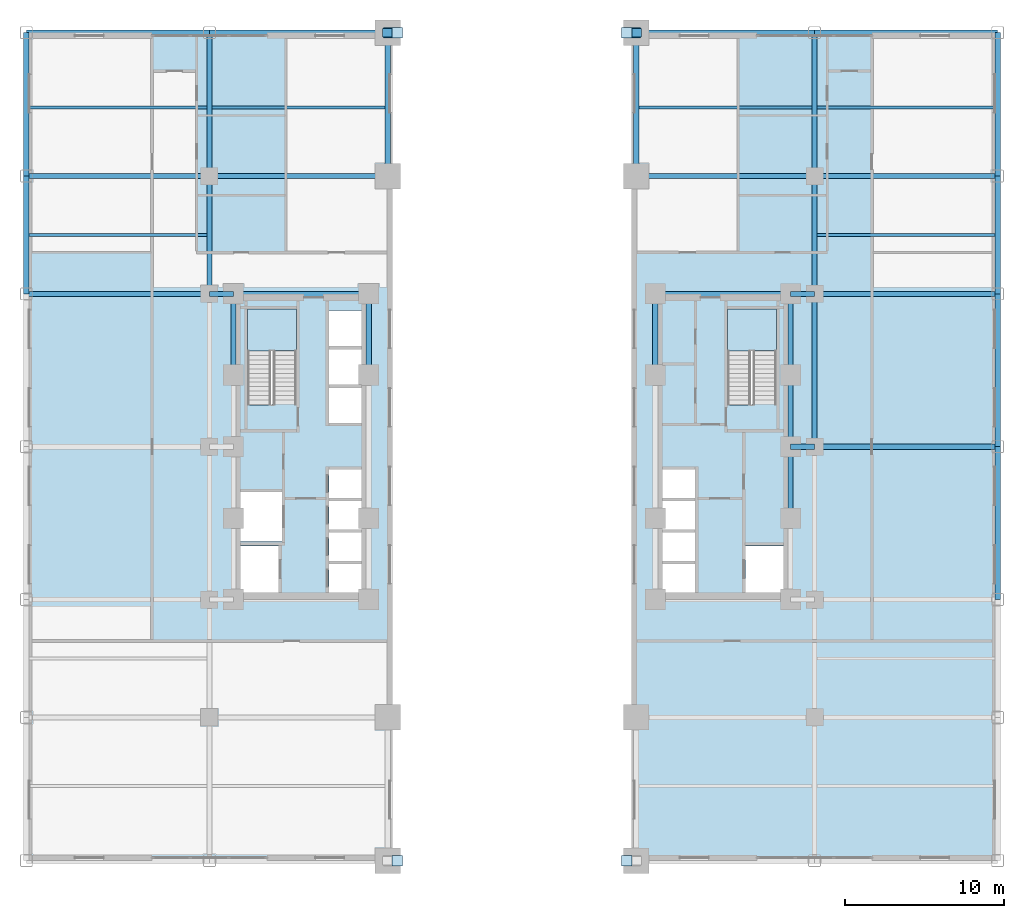
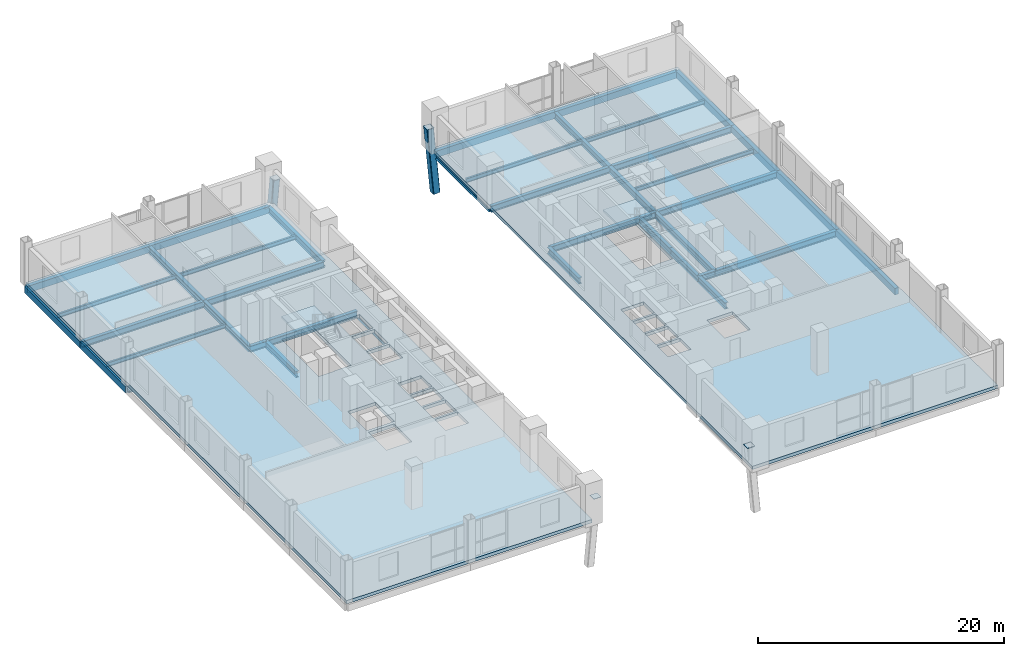
# One storey, part 2 of 15: 43 beams, 4 plates, 4 slabs, 2 elements without a shape of their own.
"""IFC4 building model written with IfcOpenShell, lengths in metres."""

from ifc_helpers import new_model, si_unit, direction, frame, origin, origin_2d, place, context, subcontext, project, spatial, polyline, rectangle, hollow_rectangle, i_section, outline, extrude, source, transform, mapped, material, layer, layer_set, material_profile, profile_set, type_object, type_shapes, element, aggregate, save


model = new_model("IFC4")

# Units and contexts
model_context = context("Model", 3, precision=1e-05, world=origin(), true_north=direction((0.0, 1.0)))
body_context = subcontext(model_context, "Body", "Model", "MODEL_VIEW")
ifc_project = project(units=[si_unit("LENGTHUNIT", "METRE"), si_unit("AREAUNIT", "SQUARE_METRE"), si_unit("VOLUMEUNIT", "CUBIC_METRE"), si_unit("PLANEANGLEUNIT", "RADIAN"), si_unit("MASSUNIT", "GRAM", prefix="KILO")], contexts=[model_context])

# Site, building, storey
site_placement = place(None, origin())
site = spatial("IfcSite", under=ifc_project, at=site_placement, CompositionType="ELEMENT")
building_placement = place(site_placement, origin())
building = spatial("IfcBuilding", under=site, at=building_placement, Name="Nuvemarco Arch Tower", CompositionType="ELEMENT")
storey_placement = place(building_placement, frame((0.0, 0.0, 4.60009765625)))
storey = spatial("IfcBuildingStorey", under=building, at=storey_placement, Name="L01", CompositionType="ELEMENT", Elevation=4.60009765625)

# Beams
ifc_material_1 = material(Name="Steel S355", Category="steel")
ifc_material_profile_1 = material_profile(ifc_material_1, hollow_rectangle(XDim=0.64990234375, YDim=0.64990234375, WallThickness=0.0400390625, InnerFilletRadius=0.0400390625, OuterFilletRadius=0.080078125, at=origin_2d()), Name="SHS650x650x40")
ifc_profile_set_1 = profile_set([ifc_material_profile_1], Name="Steel S355")
beam_type_1 = type_object("IfcBeamType", Name="BM-ARCH-RIB", PredefinedType="BEAM", material=ifc_profile_set_1)
for number, where, z_axis, x_axis, name in (
    (1, (-7.800048828125, 26.0, -4.400146484375), (0.090549032051, 0.0, 0.995891998559), (0.0, 1.0, 0.0), "Monumental portal arch rib segment N-1"),
    (2, (7.199951171875, 26.0, 2.199951171875), (0.090549032051, 0.0, -0.995891998559), (0.0, 1.0, 0.0), "Monumental portal arch rib segment N-6"),
):
    element("IfcBeam", number, at=place(storey_placement, frame(where, z_axis=z_axis, x_axis=x_axis)), inside=storey, type_object=beam_type_1, Name=name, PredefinedType="BEAM", context=body_context, shape_type="SweptSolid", body=[
        extrude(hollow_rectangle(XDim=0.64990234375, YDim=0.64990234375, WallThickness=0.0400390625, InnerFilletRadius=0.0400390625, OuterFilletRadius=0.080078125, at=origin_2d()), origin(), (0.0, 0.0, 1.0), 6.62744140625),
    ])
ifc_material_profile_2 = material_profile(ifc_material_1, i_section(OverallWidth=0.324951171875, OverallDepth=0.615966796875, WebThickness=0.013916015625, FlangeThickness=0.021484375, FilletRadius=0.01611328125, at=origin_2d()), Name="W610x174")
ifc_profile_set_2 = profile_set([ifc_material_profile_2], Name="Steel S355")
beam_type_2 = type_object("IfcBeamType", Name="BM-GIRD-610H", PredefinedType="BEAM", material=ifc_profile_set_2)
beam_1_placement = place(storey_placement, frame((-19.0, 9.60009765625, -0.628173828125), z_axis=(0.0, 1.0, 0.0), x_axis=(-1.0, 0.0, 0.0)))
element("IfcBeam", 3, at=beam_1_placement, inside=storey, type_object=beam_type_2, Name="L01 structural beam BGNS_L01_0_-19.0_+9.6", PredefinedType="BEAM", context=body_context, shape_type="SweptSolid", body=[
    extrude(i_section(OverallWidth=0.324951171875, OverallDepth=0.615966796875, WebThickness=0.013916015625, FlangeThickness=0.021484375, FilletRadius=0.01611328125, at=origin_2d()), origin(), (0.0, 0.0, 1.0), 7.39990234375),
])
beam_2_placement = place(storey_placement, frame((-19.0, 17.0, -0.628173828125), z_axis=(0.0, 1.0, 0.0), x_axis=(-1.0, 0.0, 0.0)))
element("IfcBeam", 4, at=beam_2_placement, inside=storey, type_object=beam_type_2, Name="L01 structural beam BGNS_L01_0_-19.0_+17.0", PredefinedType="BEAM", context=body_context, shape_type="SweptSolid", body=[
    extrude(i_section(OverallWidth=0.324951171875, OverallDepth=0.615966796875, WebThickness=0.013916015625, FlangeThickness=0.021484375, FilletRadius=0.01611328125, at=origin_2d()), origin(), (0.0, 0.0, 1.0), 9.0),
])
for number, where, z_axis, x_axis, name in (
    (5, (-17.5, 4.5, -0.628173828125), (0.0, 1.0, 0.0), (-1.0, 0.0, 0.0), "L01 structural beam BGNS_L01_0_-17.5_+4.5"),
    (6, (-9.0, 4.5, -0.628173828125), (0.0, 1.0, 0.0), (-1.0, 0.0, 0.0), "L01 structural beam BGNS_L01_0_-9.0_+4.5"),
):
    element("IfcBeam", number, at=place(storey_placement, frame(where, z_axis=z_axis, x_axis=x_axis)), inside=storey, type_object=beam_type_2, Name=name, PredefinedType="BEAM", context=body_context, shape_type="SweptSolid", body=[
        extrude(i_section(OverallWidth=0.324951171875, OverallDepth=0.615966796875, WebThickness=0.013916015625, FlangeThickness=0.021484375, FilletRadius=0.01611328125, at=origin_2d()), origin(), (0.0, 0.0, 1.0), 5.10009765625),
    ])
beam_3_placement = place(storey_placement, frame((-7.800048828125, 17.0, -0.628173828125), z_axis=(0.0, 1.0, 0.0), x_axis=(-1.0, 0.0, 0.0)))
element("IfcBeam", 7, at=beam_3_placement, inside=storey, type_object=beam_type_2, Name="L01 structural beam BGNS_L01_0_-7.8_+17.0", PredefinedType="BEAM", context=body_context, shape_type="SweptSolid", body=[
    extrude(i_section(OverallWidth=0.324951171875, OverallDepth=0.615966796875, WebThickness=0.013916015625, FlangeThickness=0.021484375, FilletRadius=0.01611328125, at=origin_2d()), origin(), (0.0, 0.0, 1.0), 9.0),
])
beam_4_placement = place(storey_placement, frame((-30.5, 9.60009765625, -0.628173828125), z_axis=(1.0, 0.0, 0.0), x_axis=(0.0, 1.0, 0.0)))
element("IfcBeam", 8, at=beam_4_placement, inside=storey, type_object=beam_type_2, Name="L01 structural beam BGEW_L01_0_+9.6_-30.5", PredefinedType="BEAM", context=body_context, shape_type="SweptSolid", body=[
    extrude(i_section(OverallWidth=0.324951171875, OverallDepth=0.615966796875, WebThickness=0.013916015625, FlangeThickness=0.021484375, FilletRadius=0.01611328125, at=origin_2d()), origin(), (0.0, 0.0, 1.0), 11.5),
])
beam_5_placement = place(storey_placement, frame((-19.0, 9.60009765625, -0.628173828125), z_axis=(1.0, 0.0, 0.0), x_axis=(0.0, 1.0, 0.0)))
element("IfcBeam", 9, at=beam_5_placement, inside=storey, type_object=beam_type_2, Name="L01 structural beam BGEW_L01_0_+9.6_-19.0", PredefinedType="BEAM", context=body_context, shape_type="SweptSolid", body=[
    extrude(i_section(OverallWidth=0.324951171875, OverallDepth=0.615966796875, WebThickness=0.013916015625, FlangeThickness=0.021484375, FilletRadius=0.01611328125, at=origin_2d()), origin(), (0.0, 0.0, 1.0), 1.5),
])
beam_6_placement = place(storey_placement, frame((-17.5, 9.60009765625, -0.628173828125), z_axis=(1.0, 0.0, 0.0), x_axis=(0.0, 1.0, 0.0)))
element("IfcBeam", 10, at=beam_6_placement, inside=storey, type_object=beam_type_2, Name="L01 structural beam BGEW_L01_0_+9.6_-17.5", PredefinedType="BEAM", context=body_context, shape_type="SweptSolid", body=[
    extrude(i_section(OverallWidth=0.324951171875, OverallDepth=0.615966796875, WebThickness=0.013916015625, FlangeThickness=0.021484375, FilletRadius=0.01611328125, at=origin_2d()), origin(), (0.0, 0.0, 1.0), 8.5),
])
beam_7_placement = place(storey_placement, frame((-30.5, 17.0, -0.628173828125), z_axis=(1.0, 0.0, 0.0), x_axis=(0.0, 1.0, 0.0)))
element("IfcBeam", 11, at=beam_7_placement, inside=storey, type_object=beam_type_2, Name="L01 structural beam BGEW_L01_0_+17.0_-30.5", PredefinedType="BEAM", context=body_context, shape_type="SweptSolid", body=[
    extrude(i_section(OverallWidth=0.324951171875, OverallDepth=0.615966796875, WebThickness=0.013916015625, FlangeThickness=0.021484375, FilletRadius=0.01611328125, at=origin_2d()), origin(), (0.0, 0.0, 1.0), 11.5),
])
beam_8_placement = place(storey_placement, frame((-19.0, 17.0, -0.628173828125), z_axis=(1.0, 0.0, 0.0), x_axis=(0.0, 1.0, 0.0)))
element("IfcBeam", 12, at=beam_8_placement, inside=storey, type_object=beam_type_2, Name="L01 structural beam BGEW_L01_0_+17.0_-19.0", PredefinedType="BEAM", context=body_context, shape_type="SweptSolid", body=[
    extrude(i_section(OverallWidth=0.324951171875, OverallDepth=0.615966796875, WebThickness=0.013916015625, FlangeThickness=0.021484375, FilletRadius=0.01611328125, at=origin_2d()), origin(), (0.0, 0.0, 1.0), 11.199951171875),
])
beam_9_placement = place(storey_placement, frame((7.800048828125, 17.0, -0.628173828125), z_axis=(0.0, 1.0, 0.0), x_axis=(-1.0, 0.0, 0.0)))
element("IfcBeam", 13, at=beam_9_placement, inside=storey, type_object=beam_type_2, Name="L01 structural beam BGNS_L01_1_+7.8_+17.0", PredefinedType="BEAM", context=body_context, shape_type="SweptSolid", body=[
    extrude(i_section(OverallWidth=0.324951171875, OverallDepth=0.615966796875, WebThickness=0.013916015625, FlangeThickness=0.021484375, FilletRadius=0.01611328125, at=origin_2d()), origin(), (0.0, 0.0, 1.0), 9.0),
])
beam_10_placement = place(storey_placement, frame((9.0, 4.5, -0.628173828125), z_axis=(0.0, 1.0, 0.0), x_axis=(-1.0, 0.0, 0.0)))
element("IfcBeam", 14, at=beam_10_placement, inside=storey, type_object=beam_type_2, Name="L01 structural beam BGNS_L01_1_+9.0_+4.5", PredefinedType="BEAM", context=body_context, shape_type="SweptSolid", body=[
    extrude(i_section(OverallWidth=0.324951171875, OverallDepth=0.615966796875, WebThickness=0.013916015625, FlangeThickness=0.021484375, FilletRadius=0.01611328125, at=origin_2d()), origin(), (0.0, 0.0, 1.0), 5.10009765625),
])
for number, where, z_axis, x_axis, name in (
    (15, (17.5, -4.5, -0.628173828125), (0.0, 1.0, 0.0), (-1.0, 0.0, 0.0), "L01 structural beam BGNS_L01_1_+17.5_-4.5"),
    (16, (17.5, 0.0, -0.628173828125), (0.0, 1.0, 0.0), (-1.0, 0.0, 0.0), "L01 structural beam BGNS_L01_1_+17.5_+0.0"),
):
    element("IfcBeam", number, at=place(storey_placement, frame(where, z_axis=z_axis, x_axis=x_axis)), inside=storey, type_object=beam_type_2, Name=name, PredefinedType="BEAM", context=body_context, shape_type="SweptSolid", body=[
        extrude(i_section(OverallWidth=0.324951171875, OverallDepth=0.615966796875, WebThickness=0.013916015625, FlangeThickness=0.021484375, FilletRadius=0.01611328125, at=origin_2d()), origin(), (0.0, 0.0, 1.0), 4.5),
    ])
beam_11_placement = place(storey_placement, frame((17.5, 4.5, -0.628173828125), z_axis=(0.0, 1.0, 0.0), x_axis=(-1.0, 0.0, 0.0)))
element("IfcBeam", 17, at=beam_11_placement, inside=storey, type_object=beam_type_2, Name="L01 structural beam BGNS_L01_1_+17.5_+4.5", PredefinedType="BEAM", context=body_context, shape_type="SweptSolid", body=[
    extrude(i_section(OverallWidth=0.324951171875, OverallDepth=0.615966796875, WebThickness=0.013916015625, FlangeThickness=0.021484375, FilletRadius=0.01611328125, at=origin_2d()), origin(), (0.0, 0.0, 1.0), 5.10009765625),
])
beam_12_placement = place(storey_placement, frame((19.0, 0.0, -0.628173828125), z_axis=(0.0, 1.0, 0.0), x_axis=(-1.0, 0.0, 0.0)))
element("IfcBeam", 18, at=beam_12_placement, inside=storey, type_object=beam_type_2, Name="L01 structural beam BGNS_L01_1_+19.0_+0.0", PredefinedType="BEAM", context=body_context, shape_type="SweptSolid", body=[
    extrude(i_section(OverallWidth=0.324951171875, OverallDepth=0.615966796875, WebThickness=0.013916015625, FlangeThickness=0.021484375, FilletRadius=0.01611328125, at=origin_2d()), origin(), (0.0, 0.0, 1.0), 9.60009765625),
])
beam_13_placement = place(storey_placement, frame((19.0, 9.60009765625, -0.628173828125), z_axis=(0.0, 1.0, 0.0), x_axis=(-1.0, 0.0, 0.0)))
element("IfcBeam", 19, at=beam_13_placement, inside=storey, type_object=beam_type_2, Name="L01 structural beam BGNS_L01_1_+19.0_+9.6", PredefinedType="BEAM", context=body_context, shape_type="SweptSolid", body=[
    extrude(i_section(OverallWidth=0.324951171875, OverallDepth=0.615966796875, WebThickness=0.013916015625, FlangeThickness=0.021484375, FilletRadius=0.01611328125, at=origin_2d()), origin(), (0.0, 0.0, 1.0), 7.39990234375),
])
beam_14_placement = place(storey_placement, frame((19.0, 17.0, -0.628173828125), z_axis=(0.0, 1.0, 0.0), x_axis=(-1.0, 0.0, 0.0)))
element("IfcBeam", 20, at=beam_14_placement, inside=storey, type_object=beam_type_2, Name="L01 structural beam BGNS_L01_1_+19.0_+17.0", PredefinedType="BEAM", context=body_context, shape_type="SweptSolid", body=[
    extrude(i_section(OverallWidth=0.324951171875, OverallDepth=0.615966796875, WebThickness=0.013916015625, FlangeThickness=0.021484375, FilletRadius=0.01611328125, at=origin_2d()), origin(), (0.0, 0.0, 1.0), 9.0),
])
beam_15_placement = place(storey_placement, frame((17.5, 0.0, -0.628173828125), z_axis=(1.0, 0.0, 0.0), x_axis=(0.0, 1.0, 0.0)))
element("IfcBeam", 21, at=beam_15_placement, inside=storey, type_object=beam_type_2, Name="L01 structural beam BGEW_L01_1_+0.0_+17.5", PredefinedType="BEAM", context=body_context, shape_type="SweptSolid", body=[
    extrude(i_section(OverallWidth=0.324951171875, OverallDepth=0.615966796875, WebThickness=0.013916015625, FlangeThickness=0.021484375, FilletRadius=0.01611328125, at=origin_2d()), origin(), (0.0, 0.0, 1.0), 1.5),
])
beam_16_placement = place(storey_placement, frame((19.0, 0.0, -0.628173828125), z_axis=(1.0, 0.0, 0.0), x_axis=(0.0, 1.0, 0.0)))
element("IfcBeam", 22, at=beam_16_placement, inside=storey, type_object=beam_type_2, Name="L01 structural beam BGEW_L01_1_+0.0_+19.0", PredefinedType="BEAM", context=body_context, shape_type="SweptSolid", body=[
    extrude(i_section(OverallWidth=0.324951171875, OverallDepth=0.615966796875, WebThickness=0.013916015625, FlangeThickness=0.021484375, FilletRadius=0.01611328125, at=origin_2d()), origin(), (0.0, 0.0, 1.0), 11.5),
])
beam_17_placement = place(storey_placement, frame((9.0, 9.60009765625, -0.628173828125), z_axis=(1.0, 0.0, 0.0), x_axis=(0.0, 1.0, 0.0)))
element("IfcBeam", 23, at=beam_17_placement, inside=storey, type_object=beam_type_2, Name="L01 structural beam BGEW_L01_1_+9.6_+9.0", PredefinedType="BEAM", context=body_context, shape_type="SweptSolid", body=[
    extrude(i_section(OverallWidth=0.324951171875, OverallDepth=0.615966796875, WebThickness=0.013916015625, FlangeThickness=0.021484375, FilletRadius=0.01611328125, at=origin_2d()), origin(), (0.0, 0.0, 1.0), 8.5),
])
beam_18_placement = place(storey_placement, frame((17.5, 9.60009765625, -0.628173828125), z_axis=(1.0, 0.0, 0.0), x_axis=(0.0, 1.0, 0.0)))
element("IfcBeam", 24, at=beam_18_placement, inside=storey, type_object=beam_type_2, Name="L01 structural beam BGEW_L01_1_+9.6_+17.5", PredefinedType="BEAM", context=body_context, shape_type="SweptSolid", body=[
    extrude(i_section(OverallWidth=0.324951171875, OverallDepth=0.615966796875, WebThickness=0.013916015625, FlangeThickness=0.021484375, FilletRadius=0.01611328125, at=origin_2d()), origin(), (0.0, 0.0, 1.0), 1.5),
])
beam_19_placement = place(storey_placement, frame((19.0, 9.60009765625, -0.628173828125), z_axis=(1.0, 0.0, 0.0), x_axis=(0.0, 1.0, 0.0)))
element("IfcBeam", 25, at=beam_19_placement, inside=storey, type_object=beam_type_2, Name="L01 structural beam BGEW_L01_1_+9.6_+19.0", PredefinedType="BEAM", context=body_context, shape_type="SweptSolid", body=[
    extrude(i_section(OverallWidth=0.324951171875, OverallDepth=0.615966796875, WebThickness=0.013916015625, FlangeThickness=0.021484375, FilletRadius=0.01611328125, at=origin_2d()), origin(), (0.0, 0.0, 1.0), 11.5),
])
beam_20_placement = place(storey_placement, frame((7.800048828125, 17.0, -0.628173828125), z_axis=(1.0, 0.0, 0.0), x_axis=(0.0, 1.0, 0.0)))
element("IfcBeam", 26, at=beam_20_placement, inside=storey, type_object=beam_type_2, Name="L01 structural beam BGEW_L01_1_+17.0_+7.8", PredefinedType="BEAM", context=body_context, shape_type="SweptSolid", body=[
    extrude(i_section(OverallWidth=0.324951171875, OverallDepth=0.615966796875, WebThickness=0.013916015625, FlangeThickness=0.021484375, FilletRadius=0.01611328125, at=origin_2d()), origin(), (0.0, 0.0, 1.0), 11.199951171875),
])
beam_21_placement = place(storey_placement, frame((19.0, 17.0, -0.628173828125), z_axis=(1.0, 0.0, 0.0), x_axis=(0.0, 1.0, 0.0)))
element("IfcBeam", 27, at=beam_21_placement, inside=storey, type_object=beam_type_2, Name="L01 structural beam BGEW_L01_1_+17.0_+19.0", PredefinedType="BEAM", context=body_context, shape_type="SweptSolid", body=[
    extrude(i_section(OverallWidth=0.324951171875, OverallDepth=0.615966796875, WebThickness=0.013916015625, FlangeThickness=0.021484375, FilletRadius=0.01611328125, at=origin_2d()), origin(), (0.0, 0.0, 1.0), 11.5),
])
ifc_material_profile_3 = material_profile(ifc_material_1, i_section(OverallWidth=0.179931640625, OverallDepth=0.4130859375, WebThickness=0.009765625, FlangeThickness=0.01611328125, FilletRadius=0.014892578125, at=origin_2d()), Name="W410x75")
ifc_profile_set_3 = profile_set([ifc_material_profile_3], Name="Steel S355")
beam_type_3 = type_object("IfcBeamType", Name="BM-JOIST-410", PredefinedType="JOIST", material=ifc_profile_set_3)
for number, where, z_axis, x_axis, name in (
    (28, (-30.324951171875, 13.300048828125, -0.526611328125), (1.0, 0.0, 0.0), (0.0, 1.0, 0.0), "L01 structural beam BJ_L01_0_+13.3_-30.5"),
    (29, (-30.324951171875, 21.300048828125, -0.526611328125), (1.0, 0.0, 0.0), (0.0, 1.0, 0.0), "L01 structural beam BJ_L01_0_+21.3_-30.5"),
):
    element("IfcBeam", number, at=place(storey_placement, frame(where, z_axis=z_axis, x_axis=x_axis)), inside=storey, type_object=beam_type_3, Name=name, PredefinedType="JOIST", context=body_context, shape_type="SweptSolid", body=[
        extrude(i_section(OverallWidth=0.179931640625, OverallDepth=0.4130859375, WebThickness=0.009765625, FlangeThickness=0.01611328125, FilletRadius=0.014892578125, at=origin_2d()), origin(), (0.0, 0.0, 1.0), 11.162353515625),
    ])
beam_22_placement = place(storey_placement, frame((-18.83740234375, 21.300048828125, -0.526611328125), z_axis=(1.0, 0.0, 0.0), x_axis=(0.0, 1.0, 0.0)))
element("IfcBeam", 30, at=beam_22_placement, inside=storey, type_object=beam_type_3, Name="L01 structural beam BJ_L01_0_+21.3_-19.0", PredefinedType="JOIST", context=body_context, shape_type="SweptSolid", body=[
    extrude(i_section(OverallWidth=0.179931640625, OverallDepth=0.4130859375, WebThickness=0.009765625, FlangeThickness=0.01611328125, FilletRadius=0.014892578125, at=origin_2d()), origin(), (0.0, 0.0, 1.0), 10.875),
])
beam_23_placement = place(storey_placement, frame((19.16259765625, 13.300048828125, -0.526611328125), z_axis=(1.0, 0.0, 0.0), x_axis=(0.0, 1.0, 0.0)))
element("IfcBeam", 31, at=beam_23_placement, inside=storey, type_object=beam_type_3, Name="L01 structural beam BJ_L01_1_+13.3_+19.0", PredefinedType="JOIST", context=body_context, shape_type="SweptSolid", body=[
    extrude(i_section(OverallWidth=0.179931640625, OverallDepth=0.4130859375, WebThickness=0.009765625, FlangeThickness=0.01611328125, FilletRadius=0.014892578125, at=origin_2d()), origin(), (0.0, 0.0, 1.0), 11.162353515625),
])
beam_24_placement = place(storey_placement, frame((7.96240234375, 21.300048828125, -0.526611328125), z_axis=(1.0, 0.0, 0.0), x_axis=(0.0, 1.0, 0.0)))
element("IfcBeam", 32, at=beam_24_placement, inside=storey, type_object=beam_type_3, Name="L01 structural beam BJ_L01_1_+21.3_+7.8", PredefinedType="JOIST", context=body_context, shape_type="SweptSolid", body=[
    extrude(i_section(OverallWidth=0.179931640625, OverallDepth=0.4130859375, WebThickness=0.009765625, FlangeThickness=0.01611328125, FilletRadius=0.014892578125, at=origin_2d()), origin(), (0.0, 0.0, 1.0), 10.875),
])
beam_25_placement = place(storey_placement, frame((19.16259765625, 21.300048828125, -0.526611328125), z_axis=(1.0, 0.0, 0.0), x_axis=(0.0, 1.0, 0.0)))
element("IfcBeam", 33, at=beam_25_placement, inside=storey, type_object=beam_type_3, Name="L01 structural beam BJ_L01_1_+21.3_+19.0", PredefinedType="JOIST", context=body_context, shape_type="SweptSolid", body=[
    extrude(i_section(OverallWidth=0.179931640625, OverallDepth=0.4130859375, WebThickness=0.009765625, FlangeThickness=0.01611328125, FilletRadius=0.014892578125, at=origin_2d()), origin(), (0.0, 0.0, 1.0), 11.162353515625),
])
ifc_material_2 = material(Name="Precast concrete C45/55", Category="concrete")
ifc_material_profile_4 = material_profile(ifc_material_2, rectangle(XDim=0.35009765625, YDim=0.64990234375, at=origin_2d()), Name="PC-SP-350x650")
ifc_profile_set_4 = profile_set([ifc_material_profile_4], Name="Precast concrete C45/55")
beam_type_4 = type_object("IfcBeamType", Name="BM-SPAN-RC", PredefinedType="SPANDREL", material=ifc_profile_set_4)
beam_26_placement = place(storey_placement, frame((-30.5, 9.60009765625, -0.64501953125), z_axis=(0.0, 1.0, 0.0), x_axis=(-1.0, 0.0, 0.0)))
element("IfcBeam", 34, at=beam_26_placement, inside=storey, type_object=beam_type_4, Name="L01 structural beam BGNS_L01_0_-30.5_+9.6", PredefinedType="SPANDREL", context=body_context, shape_type="SweptSolid", body=[
    extrude(rectangle(XDim=0.35009765625, YDim=0.64990234375, at=origin_2d()), origin(), (0.0, 0.0, 1.0), 7.39990234375),
])
beam_27_placement = place(storey_placement, frame((-30.5, 17.0, -0.64501953125), z_axis=(0.0, 1.0, 0.0), x_axis=(-1.0, 0.0, 0.0)))
element("IfcBeam", 35, at=beam_27_placement, inside=storey, type_object=beam_type_4, Name="L01 structural beam BGNS_L01_0_-30.5_+17.0", PredefinedType="SPANDREL", context=body_context, shape_type="SweptSolid", body=[
    extrude(rectangle(XDim=0.35009765625, YDim=0.64990234375, at=origin_2d()), origin(), (0.0, 0.0, 1.0), 9.0),
])
beam_28_placement = place(storey_placement, frame((-30.5, 26.0, -0.64501953125), z_axis=(1.0, 0.0, 0.0), x_axis=(0.0, 1.0, 0.0)))
element("IfcBeam", 36, at=beam_28_placement, inside=storey, type_object=beam_type_4, Name="L01 structural beam BGEW_L01_0_+26.0_-30.5", PredefinedType="SPANDREL", context=body_context, shape_type="SweptSolid", body=[
    extrude(rectangle(XDim=0.35009765625, YDim=0.64990234375, at=origin_2d()), origin(), (0.0, 0.0, 1.0), 11.5),
])
beam_29_placement = place(storey_placement, frame((-19.0, 26.0, -0.64501953125), z_axis=(1.0, 0.0, 0.0), x_axis=(0.0, 1.0, 0.0)))
element("IfcBeam", 37, at=beam_29_placement, inside=storey, type_object=beam_type_4, Name="L01 structural beam BGEW_L01_0_+26.0_-19.0", PredefinedType="SPANDREL", context=body_context, shape_type="SweptSolid", body=[
    extrude(rectangle(XDim=0.35009765625, YDim=0.64990234375, at=origin_2d()), origin(), (0.0, 0.0, 1.0), 11.199951171875),
])
for number, where, z_axis, x_axis, name in (
    (38, (30.5, -9.60009765625, -0.64501953125), (0.0, 1.0, 0.0), (-1.0, 0.0, 0.0), "L01 structural beam BGNS_L01_1_+30.5_-9.6"),
    (39, (30.5, 0.0, -0.64501953125), (0.0, 1.0, 0.0), (-1.0, 0.0, 0.0), "L01 structural beam BGNS_L01_1_+30.5_+0.0"),
):
    element("IfcBeam", number, at=place(storey_placement, frame(where, z_axis=z_axis, x_axis=x_axis)), inside=storey, type_object=beam_type_4, Name=name, PredefinedType="SPANDREL", context=body_context, shape_type="SweptSolid", body=[
        extrude(rectangle(XDim=0.35009765625, YDim=0.64990234375, at=origin_2d()), origin(), (0.0, 0.0, 1.0), 9.60009765625),
    ])
beam_30_placement = place(storey_placement, frame((30.5, 9.60009765625, -0.64501953125), z_axis=(0.0, 1.0, 0.0), x_axis=(-1.0, 0.0, 0.0)))
element("IfcBeam", 40, at=beam_30_placement, inside=storey, type_object=beam_type_4, Name="L01 structural beam BGNS_L01_1_+30.5_+9.6", PredefinedType="SPANDREL", context=body_context, shape_type="SweptSolid", body=[
    extrude(rectangle(XDim=0.35009765625, YDim=0.64990234375, at=origin_2d()), origin(), (0.0, 0.0, 1.0), 7.39990234375),
])
beam_31_placement = place(storey_placement, frame((30.5, 17.0, -0.64501953125), z_axis=(0.0, 1.0, 0.0), x_axis=(-1.0, 0.0, 0.0)))
element("IfcBeam", 41, at=beam_31_placement, inside=storey, type_object=beam_type_4, Name="L01 structural beam BGNS_L01_1_+30.5_+17.0", PredefinedType="SPANDREL", context=body_context, shape_type="SweptSolid", body=[
    extrude(rectangle(XDim=0.35009765625, YDim=0.64990234375, at=origin_2d()), origin(), (0.0, 0.0, 1.0), 9.0),
])
beam_32_placement = place(storey_placement, frame((7.800048828125, 26.0, -0.64501953125), z_axis=(1.0, 0.0, 0.0), x_axis=(0.0, 1.0, 0.0)))
element("IfcBeam", 42, at=beam_32_placement, inside=storey, type_object=beam_type_4, Name="L01 structural beam BGEW_L01_1_+26.0_+7.8", PredefinedType="SPANDREL", context=body_context, shape_type="SweptSolid", body=[
    extrude(rectangle(XDim=0.35009765625, YDim=0.64990234375, at=origin_2d()), origin(), (0.0, 0.0, 1.0), 11.199951171875),
])
beam_33_placement = place(storey_placement, frame((19.0, 26.0, -0.64501953125), z_axis=(1.0, 0.0, 0.0), x_axis=(0.0, 1.0, 0.0)))
element("IfcBeam", 43, at=beam_33_placement, inside=storey, type_object=beam_type_4, Name="L01 structural beam BGEW_L01_1_+26.0_+19.0", PredefinedType="SPANDREL", context=body_context, shape_type="SweptSolid", body=[
    extrude(rectangle(XDim=0.35009765625, YDim=0.64990234375, at=origin_2d()), origin(), (0.0, 0.0, 1.0), 11.5),
])

# Slabs
ifc_material_3 = material(Name="Concrete C50/60", Category="concrete")
ifc_layer_1 = layer(ifc_material_3, 0.320068359375, Name="SL-FLR-320")
ifc_layer_set_1 = layer_set([ifc_layer_1], Name="Concrete C50/60")
slab_type_1 = type_object("IfcSlabType", Name="SL-FLR-320", PredefinedType="FLOOR", material=ifc_layer_set_1)
slab_1_placement = place(storey_placement, frame((0.0, 0.0, -0.320068359375)))
element("IfcSlab", 44, at=slab_1_placement, inside=storey, type_object=slab_type_1, Name="L01 structural floor slab", PredefinedType="FLOOR", context=body_context, shape_type="SweptSolid", body=[
    extrude(outline(polyline([(-30.5, -26.0), (-7.5, -26.0), (-7.5, 26.0), (-30.5, 26.0), (-30.5, -26.0)]), holes=[polyline([(-13.5400390625, 2.669921875), (-13.5400390625, 8.64990234375), (-16.60009765625, 8.64990234375), (-16.60009765625, 2.630615234375), (-15.070068359375, 2.630615234375), (-15.070068359375, 2.669921875), (-13.5400390625, 2.669921875)]), polyline([(-17.050048828125, -9.14990234375), (-14.64990234375, -9.14990234375), (-14.64990234375, -6.25), (-17.050048828125, -6.25), (-17.050048828125, -9.14990234375)]), polyline([(-17.050048828125, -5.949951171875), (-14.449951171875, -5.949951171875), (-14.449951171875, -2.85009765625), (-17.050048828125, -2.85009765625), (-17.050048828125, -5.949951171875)]), polyline([(-11.5, -9.14990234375), (-9.35009765625, -9.14990234375), (-9.35009765625, -7.3701171875), (-11.5, -7.3701171875), (-11.5, -9.14990234375)]), polyline([(-11.5, -7.169921875), (-9.35009765625, -7.169921875), (-9.35009765625, -5.389892578125), (-11.5, -5.389892578125), (-11.5, -7.169921875)]), polyline([(-11.5, -5.18994140625), (-9.35009765625, -5.18994140625), (-9.35009765625, -3.409912109375), (-11.5, -3.409912109375), (-11.5, -5.18994140625)]), polyline([(-11.5, -3.2099609375), (-9.35009765625, -3.2099609375), (-9.35009765625, -1.429931640625), (-11.5, -1.429931640625), (-11.5, -3.2099609375)]), polyline([(-11.5, 1.5), (-9.35009765625, 1.5), (-9.35009765625, 3.699951171875), (-11.5, 3.699951171875), (-11.5, 1.5)]), polyline([(-11.5, 3.919921875), (-9.35009765625, 3.919921875), (-9.35009765625, 6.1201171875), (-11.5, 6.1201171875), (-11.5, 3.919921875)]), polyline([(-11.5, 6.340087890625), (-9.35009765625, 6.340087890625), (-9.35009765625, 8.5400390625), (-11.5, 8.5400390625), (-11.5, 6.340087890625)])]), origin(), (0.0, 0.0, 1.0), 0.320068359375),
])
slab_2_placement = place(storey_placement, frame((0.0, 0.0, -0.320068359375)))
element("IfcSlab", 45, at=slab_2_placement, inside=storey, type_object=slab_type_1, Name="L01 structural floor slab", PredefinedType="FLOOR", context=body_context, shape_type="SweptSolid", body=[
    extrude(outline(polyline([(7.5, -26.0), (30.5, -26.0), (30.5, 26.0), (7.5, 26.0), (7.5, -26.0)]), holes=[polyline([(16.60009765625, 2.669921875), (16.60009765625, 8.64990234375), (13.5400390625, 8.64990234375), (13.5400390625, 2.630615234375), (15.070068359375, 2.630615234375), (15.070068359375, 2.669921875), (16.60009765625, 2.669921875)]), polyline([(14.64990234375, -9.14990234375), (17.050048828125, -9.14990234375), (17.050048828125, -6.25), (14.64990234375, -6.25), (14.64990234375, -9.14990234375)]), polyline([(9.35009765625, -9.14990234375), (11.5, -9.14990234375), (11.5, -7.3701171875), (9.35009765625, -7.3701171875), (9.35009765625, -9.14990234375)]), polyline([(9.35009765625, -7.169921875), (11.5, -7.169921875), (11.5, -5.389892578125), (9.35009765625, -5.389892578125), (9.35009765625, -7.169921875)]), polyline([(9.35009765625, -5.18994140625), (11.5, -5.18994140625), (11.5, -3.409912109375), (9.35009765625, -3.409912109375), (9.35009765625, -5.18994140625)]), polyline([(9.35009765625, -3.2099609375), (11.5, -3.2099609375), (11.5, -1.429931640625), (9.35009765625, -1.429931640625), (9.35009765625, -3.2099609375)])]), origin(), (0.0, 0.0, 1.0), 0.320068359375),
])

# Stair, slab
stair_type = type_object("IfcStairType", Name="ST-CORE-26R", PredefinedType="HALF_TURN_STAIR", material=ifc_material_2)
stair_1_placement = place(storey_placement, origin())
stair_1 = element("IfcStair", 46, at=stair_1_placement, inside=storey, type_object=stair_type, Name="L01 Protected Exit Stair ST-1", PredefinedType="HALF_TURN_STAIR")
ifc_layer_2 = layer(ifc_material_2, 0.199951171875, Name="SL-LANDING-200")
ifc_layer_set_2 = layer_set([ifc_layer_2], Name="Precast concrete C45/55")
slab_type_2 = type_object("IfcSlabType", Name="SL-LANDING-200", PredefinedType="LANDING", material=ifc_layer_set_2)
slab_3_placement = place(storey_placement, frame((0.0, 0.0, 2.099853515625)))
slab_3 = element("IfcSlab", 47, at=slab_3_placement, type_object=slab_type_2, Name="ST-26R landing 1", PredefinedType="LANDING", context=body_context, shape_type="SweptSolid", body=[
    extrude(outline(polyline([(-13.5400390625, 6.029296875), (-13.5400390625, 8.64990234375), (-16.60009765625, 8.64990234375), (-16.60009765625, 6.010009765625), (-15.070068359375, 6.010009765625), (-15.070068359375, 6.029296875), (-13.5400390625, 6.029296875)])), origin(), (0.0, 0.0, 1.0), 0.199951171875),
])
aggregate(stair_1, [slab_3])

stair_2_placement = place(storey_placement, origin())
stair_2 = element("IfcStair", 48, at=stair_2_placement, inside=storey, type_object=stair_type, Name="L01 Protected Exit Stair ST-2", PredefinedType="HALF_TURN_STAIR")
slab_4_placement = place(storey_placement, frame((0.0, 0.0, 2.099853515625)))
slab_4 = element("IfcSlab", 49, at=slab_4_placement, type_object=slab_type_2, Name="ST-26R landing 1", PredefinedType="LANDING", context=body_context, shape_type="SweptSolid", body=[
    extrude(outline(polyline([(16.60009765625, 6.029296875), (16.60009765625, 8.64990234375), (13.5400390625, 8.64990234375), (13.5400390625, 6.010009765625), (15.070068359375, 6.010009765625), (15.070068359375, 6.029296875), (16.60009765625, 6.029296875)])), origin(), (0.0, 0.0, 1.0), 0.199951171875),
])
aggregate(stair_2, [slab_4])

# Plates
ifc_layer_3 = layer(ifc_material_1, 0.030029296875, Name="PL-CAP-650-EXT")
ifc_layer_set_3 = layer_set([ifc_layer_3], Name="Steel S355")
plate_type = type_object("IfcPlateType", Name="PL-CAP-650-EXT", PredefinedType="SHEET", material=ifc_layer_set_3)
shared_shape = source(origin(), body_context, "Body", "SweptSolid", [
    extrude(rectangle(XDim=0.669921875, YDim=0.669921875, at=origin_2d()), origin(), (0.0, 0.0, 1.0), 0.030029296875),
])
type_shapes(plate_type, [shared_shape])
for number, where, z_axis, x_axis, name in (
    (50, (-7.199951171875, -26.0, 2.18505859375), (0.0, 0.0, 1.0), (1.0, 0.0, 0.0), "Hollow steel end-cap plate ARCH_RIB_S_0_C1"),
    (51, (7.199951171875, -26.0, 2.18505859375), (0.0, 0.0, 1.0), (1.0, 0.0, 0.0), "Hollow steel end-cap plate ARCH_RIB_S_4_C1"),
    (52, (-7.199951171875, 26.0, 2.18505859375), (0.0, 0.0, 1.0), (1.0, 0.0, 0.0), "Hollow steel end-cap plate ARCH_RIB_N_0_C1"),
    (53, (7.199951171875, 26.0, 2.18505859375), (0.0, 0.0, 1.0), (1.0, 0.0, 0.0), "Hollow steel end-cap plate ARCH_RIB_N_4_C1"),
):
    element("IfcPlate", number, at=place(storey_placement, frame(where, z_axis=z_axis, x_axis=x_axis)), inside=storey, type_object=plate_type, Name=name, PredefinedType="SHEET", context=body_context, shape_type="MappedRepresentation", body=[
        mapped(shared_shape, transform((0.0, 0.0, 0.0), scale=1.0)),
    ])

save(model, "model.ifc")
